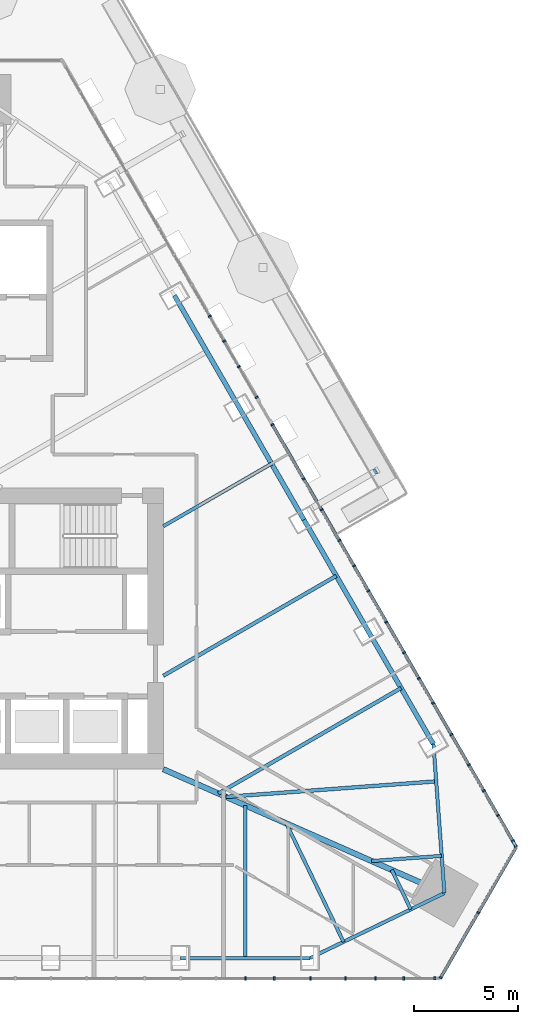
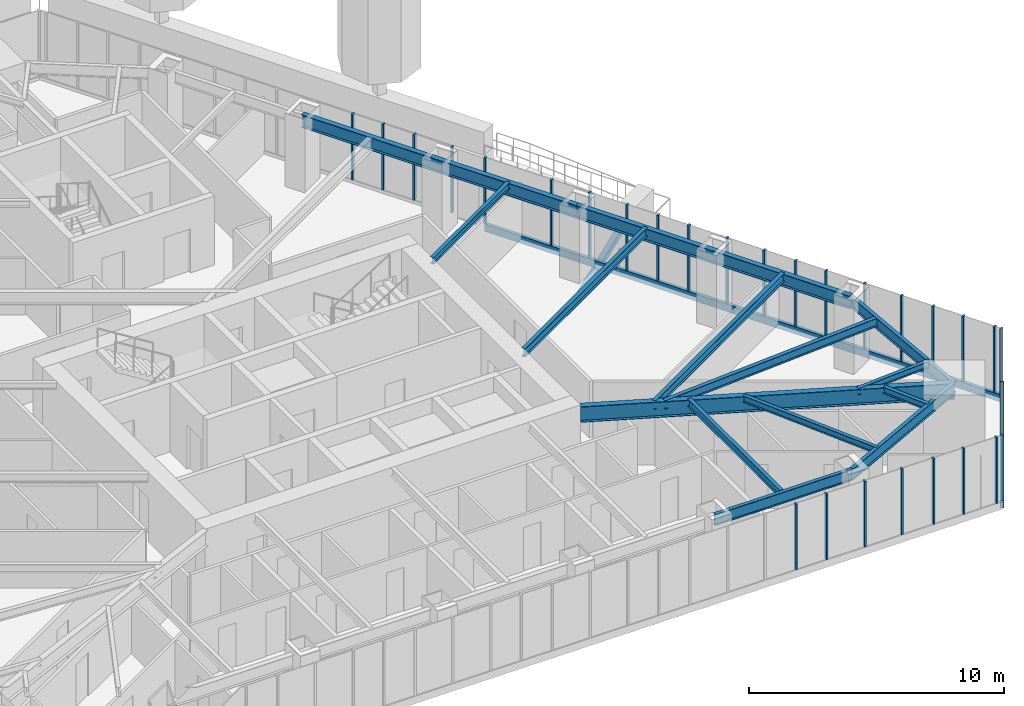
# One storey, part 8 of 22: 32 members, 14 beams, 3 elements without a shape of their own.
"""IFC4 building model written with IfcOpenShell, lengths in metres."""

from ifc_helpers import new_model, si_unit, direction, frame, origin, origin_2d, place, context, subcontext, project, spatial, rectangle, hollow_rectangle, i_section, extrude, material, layer, layer_set, material_profile, profile_set, type_object, element, aggregate, save


model = new_model("IFC4")

# Units and contexts
model_context = context("Model", 3, precision=1e-05, world=origin(), true_north=direction((0.0, 1.0)))
body_context = subcontext(model_context, "Body", "Model", "MODEL_VIEW")
ifc_project = project(units=[si_unit("LENGTHUNIT", "METRE"), si_unit("AREAUNIT", "SQUARE_METRE"), si_unit("VOLUMEUNIT", "CUBIC_METRE"), si_unit("PLANEANGLEUNIT", "RADIAN"), si_unit("MASSUNIT", "GRAM", prefix="KILO")], contexts=[model_context])

# Site, building, storey
site_placement = place(None, origin())
site = spatial("IfcSite", under=ifc_project, at=site_placement, CompositionType="ELEMENT")
building_placement = place(site_placement, origin())
building = spatial("IfcBuilding", under=site, at=building_placement, Name="Firuza Gate Tower and Library", CompositionType="ELEMENT")
storey_placement = place(building_placement, frame((0.0, 0.0, 295.10009765625)))
storey = spatial("IfcBuildingStorey", under=building, at=storey_placement, Name="L71", CompositionType="ELEMENT", Elevation=295.10009765625)

# Curtain wall, members
ifc_material_1 = material(Name="Aluminium 6063-T6", Category="aluminium")
ifc_layer_1 = layer(ifc_material_1, 0.14990234375)
ifc_layer_set_1 = layer_set([ifc_layer_1], Name="Unitised curtain wall, residences")
curtain_wall_type_1 = type_object("IfcCurtainWallType", Name="Unitised curtain wall, residences", PredefinedType="NOTDEFINED", material=ifc_layer_set_1)
placement = place(storey_placement, origin())
curtain_wall_1 = element("IfcCurtainWall", 1, at=placement, inside=storey, type_object=curtain_wall_type_1, Name="CW3 L71 S face", PredefinedType="NOTDEFINED")
ifc_material_2 = material(Name="Aluminium 6063-T6", Category="aluminium")
ifc_material_profile_1 = material_profile(ifc_material_2, rectangle(XDim=0.14990234375, YDim=0.080078125, at=origin_2d()))
ifc_profile_set_1 = profile_set([ifc_material_profile_1], Name="Aluminium 6063-T6")
member_type_1 = type_object("IfcMemberType", Name="Curtain wall mullion 80x150", PredefinedType="MULLION", material=ifc_profile_set_1)
member_1_placement = place(storey_placement, frame((87.451416015625, 58.212646484375, 0.14990234375), z_axis=(0.0, 0.0, 1.0), x_axis=(0.0, 1.0, 0.0)))
member_1 = element("IfcMember", 2, at=member_1_placement, type_object=member_type_1, Name="Mullion", PredefinedType="MULLION", context=body_context, shape_type="SweptSolid", body=[
    extrude(rectangle(XDim=0.14990234375, YDim=0.080078125, at=origin_2d()), origin(), (0.0, 0.0, 1.0), 3.14990234375),
])
member_2_placement = place(storey_placement, frame((90.564208984375, 58.212646484375, 0.14990234375), z_axis=(0.0, 0.0, 1.0), x_axis=(0.0, 1.0, 0.0)))
member_2 = element("IfcMember", 3, at=member_2_placement, type_object=member_type_1, Name="Mullion", PredefinedType="MULLION", context=body_context, shape_type="SweptSolid", body=[
    extrude(rectangle(XDim=0.14990234375, YDim=0.080078125, at=origin_2d()), origin(), (0.0, 0.0, 1.0), 3.14990234375),
])
member_3_placement = place(storey_placement, frame((93.677001953125, 58.212646484375, 0.14990234375), z_axis=(0.0, 0.0, 1.0), x_axis=(0.0, 1.0, 0.0)))
member_3 = element("IfcMember", 4, at=member_3_placement, type_object=member_type_1, Name="Mullion", PredefinedType="MULLION", context=body_context, shape_type="SweptSolid", body=[
    extrude(rectangle(XDim=0.14990234375, YDim=0.080078125, at=origin_2d()), origin(), (0.0, 0.0, 1.0), 3.14990234375),
])
member_4_placement = place(storey_placement, frame((88.8251953125, 58.212646484375, 0.14990234375), z_axis=(0.0, 0.0, 1.0), x_axis=(0.0, 1.0, 0.0)))
member_4 = element("IfcMember", 5, at=member_4_placement, type_object=member_type_1, Name="Mullion", PredefinedType="MULLION", context=body_context, shape_type="SweptSolid", body=[
    extrude(rectangle(XDim=0.14990234375, YDim=0.080078125, at=origin_2d()), origin(), (0.0, 0.0, 1.0), 3.14990234375),
])
member_5_placement = place(storey_placement, frame((92.241455078125, 58.212646484375, 0.14990234375), z_axis=(0.0, 0.0, 1.0), x_axis=(0.0, 1.0, 0.0)))
member_5 = element("IfcMember", 6, at=member_5_placement, type_object=member_type_1, Name="Mullion", PredefinedType="MULLION", context=body_context, shape_type="SweptSolid", body=[
    extrude(rectangle(XDim=0.14990234375, YDim=0.080078125, at=origin_2d()), origin(), (0.0, 0.0, 1.0), 3.14990234375),
])
member_6_placement = place(storey_placement, frame((95.03857421875, 58.212646484375, 0.14990234375), z_axis=(0.0, 0.0, 1.0), x_axis=(0.0, 1.0, 0.0)))
member_6 = element("IfcMember", 7, at=member_6_placement, type_object=member_type_1, Name="Mullion", PredefinedType="MULLION", context=body_context, shape_type="SweptSolid", body=[
    extrude(rectangle(XDim=0.14990234375, YDim=0.080078125, at=origin_2d()), origin(), (0.0, 0.0, 1.0), 3.14990234375),
])
member_7_placement = place(storey_placement, frame((96.52392578125, 58.212646484375, 0.14990234375), z_axis=(0.0, 0.0, 1.0), x_axis=(0.0, 1.0, 0.0)))
member_7 = element("IfcMember", 8, at=member_7_placement, type_object=member_type_1, Name="Mullion", PredefinedType="MULLION", context=body_context, shape_type="SweptSolid", body=[
    extrude(rectangle(XDim=0.14990234375, YDim=0.080078125, at=origin_2d()), origin(), (0.0, 0.0, 1.0), 3.14990234375),
])
aggregate(curtain_wall_1, [member_1, member_2, member_3, member_4, member_5, member_6, member_7])

ifc_material_3 = material(Name="Aluminium 6063-T6", Category="aluminium")
ifc_layer_2 = layer(ifc_material_3, 0.14990234375)
ifc_layer_set_2 = layer_set([ifc_layer_2], Name="Corner curtain wall, chamfers")
curtain_wall_type_2 = type_object("IfcCurtainWallType", Name="Corner curtain wall, chamfers", PredefinedType="NOTDEFINED", material=ifc_layer_set_2)
curtain_wall_2 = element("IfcCurtainWall", 9, at=placement, inside=storey, type_object=curtain_wall_type_2, Name="CW4 L71 SE corner", PredefinedType="NOTDEFINED")
member_8_placement = place(storey_placement, frame((96.81005859375, 58.247314453125, 0.14990234375), z_axis=(0.0, 0.0, 1.0), x_axis=(-0.866025403784, 0.5, 0.0)))
member_8 = element("IfcMember", 10, at=member_8_placement, type_object=member_type_1, Name="Mullion", PredefinedType="MULLION", context=body_context, shape_type="SweptSolid", body=[
    extrude(rectangle(XDim=0.14990234375, YDim=0.080078125, at=origin_2d()), origin(), (0.0, 0.0, 1.0), 3.14990234375),
])
member_9_placement = place(storey_placement, frame((98.611572265625, 61.367919921875, 0.14990234375), z_axis=(0.0, 0.0, 1.0), x_axis=(-0.866025403784, 0.5, 0.0)))
member_9 = element("IfcMember", 11, at=member_9_placement, type_object=member_type_1, Name="Mullion", PredefinedType="MULLION", context=body_context, shape_type="SweptSolid", body=[
    extrude(rectangle(XDim=0.14990234375, YDim=0.080078125, at=origin_2d()), origin(), (0.0, 0.0, 1.0), 3.14990234375),
])

curtain_wall_3 = element("IfcCurtainWall", 12, at=placement, inside=storey, type_object=curtain_wall_type_1, Name="CW3 L71 E face", PredefinedType="NOTDEFINED")
member_10_placement = place(storey_placement, frame((100.413330078125, 64.5576171875, 0.14990234375), z_axis=(0.0, 0.0, 1.0), x_axis=(-0.866025403784, -0.5, 0.0)))
member_10 = element("IfcMember", 13, at=member_10_placement, type_object=member_type_1, Name="Mullion", PredefinedType="MULLION", context=body_context, shape_type="SweptSolid", body=[
    extrude(rectangle(XDim=0.14990234375, YDim=0.080078125, at=origin_2d()), origin(), (0.0, 0.0, 1.0), 3.14990234375),
])
member_11_placement = place(storey_placement, frame((98.876953125, 67.21875, 0.14990234375), z_axis=(0.0, 0.0, 1.0), x_axis=(-0.866025403784, -0.5, 0.0)))
member_11 = element("IfcMember", 14, at=member_11_placement, type_object=member_type_1, Name="Mullion", PredefinedType="MULLION", context=body_context, shape_type="SweptSolid", body=[
    extrude(rectangle(XDim=0.14990234375, YDim=0.080078125, at=origin_2d()), origin(), (0.0, 0.0, 1.0), 3.14990234375),
])
member_12_placement = place(storey_placement, frame((97.3203125, 69.91455078125, 0.14990234375), z_axis=(0.0, 0.0, 1.0), x_axis=(-0.866025403784, -0.5, 0.0)))
member_12 = element("IfcMember", 15, at=member_12_placement, type_object=member_type_1, Name="Mullion", PredefinedType="MULLION", context=body_context, shape_type="SweptSolid", body=[
    extrude(rectangle(XDim=0.14990234375, YDim=0.080078125, at=origin_2d()), origin(), (0.0, 0.0, 1.0), 3.14990234375),
])
member_13_placement = place(storey_placement, frame((95.763916015625, 72.6103515625, 0.14990234375), z_axis=(0.0, 0.0, 1.0), x_axis=(-0.866025403784, -0.5, 0.0)))
member_13 = element("IfcMember", 16, at=member_13_placement, type_object=member_type_1, Name="Mullion", PredefinedType="MULLION", context=body_context, shape_type="SweptSolid", body=[
    extrude(rectangle(XDim=0.14990234375, YDim=0.080078125, at=origin_2d()), origin(), (0.0, 0.0, 1.0), 3.14990234375),
])
member_14_placement = place(storey_placement, frame((94.20751953125, 75.30615234375, 0.14990234375), z_axis=(0.0, 0.0, 1.0), x_axis=(-0.866025403784, -0.5, 0.0)))
member_14 = element("IfcMember", 17, at=member_14_placement, type_object=member_type_1, Name="Mullion", PredefinedType="MULLION", context=body_context, shape_type="SweptSolid", body=[
    extrude(rectangle(XDim=0.14990234375, YDim=0.080078125, at=origin_2d()), origin(), (0.0, 0.0, 1.0), 3.14990234375),
])
member_15_placement = place(storey_placement, frame((92.651123046875, 78.001953125, 0.14990234375), z_axis=(0.0, 0.0, 1.0), x_axis=(-0.866025403784, -0.5, 0.0)))
member_15 = element("IfcMember", 18, at=member_15_placement, type_object=member_type_1, Name="Mullion", PredefinedType="MULLION", context=body_context, shape_type="SweptSolid", body=[
    extrude(rectangle(XDim=0.14990234375, YDim=0.080078125, at=origin_2d()), origin(), (0.0, 0.0, 1.0), 3.14990234375),
])
member_16_placement = place(storey_placement, frame((91.0947265625, 80.69775390625, 0.14990234375), z_axis=(0.0, 0.0, 1.0), x_axis=(-0.866025403784, -0.5, 0.0)))
member_16 = element("IfcMember", 19, at=member_16_placement, type_object=member_type_1, Name="Mullion", PredefinedType="MULLION", context=body_context, shape_type="SweptSolid", body=[
    extrude(rectangle(XDim=0.14990234375, YDim=0.080078125, at=origin_2d()), origin(), (0.0, 0.0, 1.0), 3.14990234375),
])
member_17_placement = place(storey_placement, frame((88.734619140625, 84.785400390625, 0.14990234375), z_axis=(0.0, 0.0, 1.0), x_axis=(-0.866025403784, -0.5, 0.0)))
member_17 = element("IfcMember", 20, at=member_17_placement, type_object=member_type_1, Name="Mullion", PredefinedType="MULLION", context=body_context, shape_type="SweptSolid", body=[
    extrude(rectangle(XDim=0.14990234375, YDim=0.080078125, at=origin_2d()), origin(), (0.0, 0.0, 1.0), 3.14990234375),
])
member_18_placement = place(storey_placement, frame((87.98193359375, 86.089599609375, 0.14990234375), z_axis=(0.0, 0.0, 1.0), x_axis=(-0.866025403784, -0.5, 0.0)))
member_18 = element("IfcMember", 21, at=member_18_placement, type_object=member_type_1, Name="Mullion", PredefinedType="MULLION", context=body_context, shape_type="SweptSolid", body=[
    extrude(rectangle(XDim=0.14990234375, YDim=0.080078125, at=origin_2d()), origin(), (0.0, 0.0, 1.0), 3.14990234375),
])
member_19_placement = place(storey_placement, frame((86.425537109375, 88.785400390625, 0.14990234375), z_axis=(0.0, 0.0, 1.0), x_axis=(-0.866025403784, -0.5, 0.0)))
member_19 = element("IfcMember", 22, at=member_19_placement, type_object=member_type_1, Name="Mullion", PredefinedType="MULLION", context=body_context, shape_type="SweptSolid", body=[
    extrude(rectangle(XDim=0.14990234375, YDim=0.080078125, at=origin_2d()), origin(), (0.0, 0.0, 1.0), 3.14990234375),
])
member_20_placement = place(storey_placement, frame((100.267578125, 64.809814453125, 0.14990234375), z_axis=(0.0, 0.0, 1.0), x_axis=(-0.866025403784, -0.5, 0.0)))
member_20 = element("IfcMember", 23, at=member_20_placement, type_object=member_type_1, Name="Mullion", PredefinedType="MULLION", context=body_context, shape_type="SweptSolid", body=[
    extrude(rectangle(XDim=0.14990234375, YDim=0.080078125, at=origin_2d()), origin(), (0.0, 0.0, 1.0), 3.14990234375),
])
member_21_placement = place(storey_placement, frame((99.5576171875, 66.039794921875, 0.14990234375), z_axis=(0.0, 0.0, 1.0), x_axis=(-0.866025403784, -0.5, 0.0)))
member_21 = element("IfcMember", 24, at=member_21_placement, type_object=member_type_1, Name="Mullion", PredefinedType="MULLION", context=body_context, shape_type="SweptSolid", body=[
    extrude(rectangle(XDim=0.14990234375, YDim=0.080078125, at=origin_2d()), origin(), (0.0, 0.0, 1.0), 3.14990234375),
])
member_22_placement = place(storey_placement, frame((98.158935546875, 68.462158203125, 0.14990234375), z_axis=(0.0, 0.0, 1.0), x_axis=(-0.866025403784, -0.5, 0.0)))
member_22 = element("IfcMember", 25, at=member_22_placement, type_object=member_type_1, Name="Mullion", PredefinedType="MULLION", context=body_context, shape_type="SweptSolid", body=[
    extrude(rectangle(XDim=0.14990234375, YDim=0.080078125, at=origin_2d()), origin(), (0.0, 0.0, 1.0), 3.14990234375),
])
member_23_placement = place(storey_placement, frame((96.450927734375, 71.420654296875, 0.14990234375), z_axis=(0.0, 0.0, 1.0), x_axis=(-0.866025403784, -0.5, 0.0)))
member_23 = element("IfcMember", 26, at=member_23_placement, type_object=member_type_1, Name="Mullion", PredefinedType="MULLION", context=body_context, shape_type="SweptSolid", body=[
    extrude(rectangle(XDim=0.14990234375, YDim=0.080078125, at=origin_2d()), origin(), (0.0, 0.0, 1.0), 3.14990234375),
])
member_24_placement = place(storey_placement, frame((95.052490234375, 73.843017578125, 0.14990234375), z_axis=(0.0, 0.0, 1.0), x_axis=(-0.866025403784, -0.5, 0.0)))
member_24 = element("IfcMember", 27, at=member_24_placement, type_object=member_type_1, Name="Mullion", PredefinedType="MULLION", context=body_context, shape_type="SweptSolid", body=[
    extrude(rectangle(XDim=0.14990234375, YDim=0.080078125, at=origin_2d()), origin(), (0.0, 0.0, 1.0), 3.14990234375),
])
member_25_placement = place(storey_placement, frame((93.34423828125, 76.8017578125, 0.14990234375), z_axis=(0.0, 0.0, 1.0), x_axis=(-0.866025403784, -0.5, 0.0)))
member_25 = element("IfcMember", 28, at=member_25_placement, type_object=member_type_1, Name="Mullion", PredefinedType="MULLION", context=body_context, shape_type="SweptSolid", body=[
    extrude(rectangle(XDim=0.14990234375, YDim=0.080078125, at=origin_2d()), origin(), (0.0, 0.0, 1.0), 3.14990234375),
])
member_26_placement = place(storey_placement, frame((91.94580078125, 79.223876953125, 0.14990234375), z_axis=(0.0, 0.0, 1.0), x_axis=(-0.866025403784, -0.5, 0.0)))
member_26 = element("IfcMember", 29, at=member_26_placement, type_object=member_type_1, Name="Mullion", PredefinedType="MULLION", context=body_context, shape_type="SweptSolid", body=[
    extrude(rectangle(XDim=0.14990234375, YDim=0.080078125, at=origin_2d()), origin(), (0.0, 0.0, 1.0), 3.14990234375),
])
member_27_placement = place(storey_placement, frame((90.237548828125, 82.1826171875, 0.14990234375), z_axis=(0.0, 0.0, 1.0), x_axis=(-0.866025403784, -0.5, 0.0)))
member_27 = element("IfcMember", 30, at=member_27_placement, type_object=member_type_1, Name="Mullion", PredefinedType="MULLION", context=body_context, shape_type="SweptSolid", body=[
    extrude(rectangle(XDim=0.14990234375, YDim=0.080078125, at=origin_2d()), origin(), (0.0, 0.0, 1.0), 3.14990234375),
])
member_28_placement = place(storey_placement, frame((87.130859375, 87.5634765625, 0.14990234375), z_axis=(0.0, 0.0, 1.0), x_axis=(-0.866025403784, -0.5, 0.0)))
member_28 = element("IfcMember", 31, at=member_28_placement, type_object=member_type_1, Name="Mullion", PredefinedType="MULLION", context=body_context, shape_type="SweptSolid", body=[
    extrude(rectangle(XDim=0.14990234375, YDim=0.080078125, at=origin_2d()), origin(), (0.0, 0.0, 1.0), 3.14990234375),
])
member_29_placement = place(storey_placement, frame((85.732421875, 89.985595703125, 0.14990234375), z_axis=(0.0, 0.0, 1.0), x_axis=(-0.866025403784, -0.5, 0.0)))
member_29 = element("IfcMember", 32, at=member_29_placement, type_object=member_type_1, Name="Mullion", PredefinedType="MULLION", context=body_context, shape_type="SweptSolid", body=[
    extrude(rectangle(XDim=0.14990234375, YDim=0.080078125, at=origin_2d()), origin(), (0.0, 0.0, 1.0), 3.14990234375),
])

# Member
ifc_material_4 = material(Name="Aluminium 6063-T6", Category="aluminium")
ifc_material_profile_2 = material_profile(ifc_material_4, rectangle(XDim=0.14990234375, YDim=0.35009765625, at=origin_2d()))
ifc_profile_set_2 = profile_set([ifc_material_profile_2], Name="Aluminium 6063-T6")
member_type_2 = type_object("IfcMemberType", Name="Curtain wall transom 350x150", PredefinedType="USERDEFINED", material=ifc_profile_set_2)
member_30_placement = place(storey_placement, frame((96.7900390625, 58.212646484375, -0.025146484375), z_axis=(0.500005719219, 0.866022101766, 0.0), x_axis=(-0.866022101766, 0.500005719219, 0.0)))
member_30 = element("IfcMember", 33, at=member_30_placement, type_object=member_type_2, Name="Transom", ObjectType="TRANSOM", PredefinedType="USERDEFINED", context=body_context, shape_type="SweptSolid", body=[
    extrude(rectangle(XDim=0.14990234375, YDim=0.35009765625, at=origin_2d()), origin(), (0.0, 0.0, 1.0), 7.28662109375),
])

aggregate(curtain_wall_2, [member_8, member_9, member_30])

member_31_placement = place(storey_placement, frame((100.433349609375, 64.52294921875, -0.025146484375), z_axis=(-0.500006373523, 0.866021723998, 0.0), x_axis=(-0.866021723998, -0.500006373523, 0.0)))
member_31 = element("IfcMember", 34, at=member_31_placement, type_object=member_type_2, Name="Transom", ObjectType="TRANSOM", PredefinedType="USERDEFINED", context=body_context, shape_type="SweptSolid", body=[
    extrude(rectangle(XDim=0.14990234375, YDim=0.35009765625, at=origin_2d()), origin(), (0.0, 0.0, 1.0), 23.397216796875),
])

aggregate(curtain_wall_3, [member_10, member_11, member_12, member_13, member_14, member_15, member_16, member_17, member_18, member_19, member_31, member_20, member_21, member_22, member_23, member_24, member_25, member_26, member_27, member_28, member_29])

ifc_material_5 = material(Name="Steel S355", Category="steel")
ifc_material_profile_3 = material_profile(ifc_material_5, hollow_rectangle(XDim=0.25390625, YDim=0.25390625, WallThickness=0.01171875, at=origin_2d()))
ifc_profile_set_3 = profile_set([ifc_material_profile_3], Name="Steel S355")
member_type_3 = type_object("IfcMemberType", Name="HSS254x254x13 Tray strut", PredefinedType="BRACE", material=ifc_profile_set_3)
member_32_placement = place(storey_placement, frame((90.647216796875, 80.79296875, -1.670166015625), z_axis=(0.807122458648, 0.466007352202, 0.362478253747), x_axis=(-0.500012057535, 0.866018442252, 0.0)))
element("IfcMember", 35, at=member_32_placement, inside=storey, type_object=member_type_3, Name="Tray strut L71 col:L70:E3", PredefinedType="BRACE", context=body_context, shape_type="SweptSolid", body=[
    extrude(hollow_rectangle(XDim=0.25390625, YDim=0.25390625, WallThickness=0.01171875, at=origin_2d()), origin(), (0.0, 0.0, 1.0), 3.86279296875),
])

# Beams
ifc_material_6 = material(Name="Steel S355", Category="steel")
ifc_material_profile_4 = material_profile(ifc_material_6, i_section(OverallWidth=0.1650390625, OverallDepth=0.31005859375, WebThickness=0.005859375, FlangeThickness=0.009765625, at=origin_2d()))
ifc_profile_set_4 = profile_set([ifc_material_profile_4], Name="Steel S355")
beam_type_1 = type_object("IfcBeamType", Name="W310x39 Floor beam", PredefinedType="JOIST", material=ifc_profile_set_4)
beam_1_placement = place(storey_placement, frame((92.14697265625, 59.967041015625, 3.14501953125), z_axis=(-0.434960061589, 0.900449745862, 0.0), x_axis=(-0.900449745862, -0.434960061589, 0.0)))
element("IfcBeam", 36, at=beam_1_placement, inside=storey, type_object=beam_type_1, Name="Floor beam L71 s30", PredefinedType="JOIST", context=body_context, shape_type="SweptSolid", body=[
    extrude(i_section(OverallWidth=0.1650390625, OverallDepth=0.31005859375, WebThickness=0.005859375, FlangeThickness=0.009765625, at=origin_2d()), origin(), (0.0, 0.0, 1.0), 6.3095703125),
])
beam_2_placement = place(storey_placement, frame((95.374267578125, 61.52587890625, 3.14501953125), z_axis=(-0.434960061589, 0.900449745862, 0.0), x_axis=(-0.900449745862, -0.434960061589, 0.0)))
element("IfcBeam", 37, at=beam_2_placement, inside=storey, type_object=beam_type_1, Name="Floor beam L71 s31", PredefinedType="JOIST", context=body_context, shape_type="SweptSolid", body=[
    extrude(i_section(OverallWidth=0.1650390625, OverallDepth=0.31005859375, WebThickness=0.005859375, FlangeThickness=0.009765625, at=origin_2d()), origin(), (0.0, 0.0, 1.0), 2.103271484375),
])
beam_3_placement = place(storey_placement, frame((96.85595703125, 64.092529296875, 3.14501953125), z_axis=(-0.997292409208, -0.073538089019, 0.0), x_axis=(0.073538089019, -0.997292409208, 0.0)))
element("IfcBeam", 38, at=beam_3_placement, inside=storey, type_object=beam_type_1, Name="Floor beam L71 s40", PredefinedType="JOIST", context=body_context, shape_type="SweptSolid", body=[
    extrude(i_section(OverallWidth=0.1650390625, OverallDepth=0.31005859375, WebThickness=0.005859375, FlangeThickness=0.009765625, at=origin_2d()), origin(), (0.0, 0.0, 1.0), 3.36962890625),
])
beam_4_placement = place(storey_placement, frame((88.69384765625, 82.90625, 3.14501953125), z_axis=(-0.866017464951, -0.500013750211, 0.0), x_axis=(0.500013750211, -0.866017464951, 0.0)))
element("IfcBeam", 39, at=beam_4_placement, inside=storey, type_object=beam_type_1, Name="Floor beam L71 s52", PredefinedType="JOIST", context=body_context, shape_type="SweptSolid", body=[
    extrude(i_section(OverallWidth=0.1650390625, OverallDepth=0.31005859375, WebThickness=0.005859375, FlangeThickness=0.009765625, at=origin_2d()), origin(), (0.0, 0.0, 1.0), 5.997314453125),
])
ifc_material_7 = material(Name="Steel S355", Category="steel")
ifc_material_profile_5 = material_profile(ifc_material_7, i_section(OverallWidth=0.1708984375, OverallDepth=0.35498046875, WebThickness=0.007080078125, FlangeThickness=0.01171875, at=origin_2d()))
ifc_profile_set_5 = profile_set([ifc_material_profile_5], Name="Steel S355")
beam_type_2 = type_object("IfcBeamType", Name="W360x51 Floor beam", PredefinedType="JOIST", material=ifc_profile_set_5)
beam_5_placement = place(storey_placement, frame((87.4267578125, 59.187744140625, 3.122314453125), z_axis=(0.0, 1.0, 0.0), x_axis=(-1.0, 0.0, 0.0)))
element("IfcBeam", 40, at=beam_5_placement, inside=storey, type_object=beam_type_2, Name="Floor beam L71 s24", PredefinedType="JOIST", context=body_context, shape_type="SweptSolid", body=[
    extrude(i_section(OverallWidth=0.1708984375, OverallDepth=0.35498046875, WebThickness=0.007080078125, FlangeThickness=0.01171875, at=origin_2d()), origin(), (0.0, 0.0, 1.0), 7.33154296875),
])
ifc_material_8 = material(Name="Steel S355", Category="steel")
ifc_material_profile_6 = material_profile(ifc_material_8, i_section(OverallWidth=0.177978515625, OverallDepth=0.406982421875, WebThickness=0.0078125, FlangeThickness=0.0126953125, at=origin_2d()))
ifc_profile_set_6 = profile_set([ifc_material_profile_6], Name="Steel S355")
beam_type_3 = type_object("IfcBeamType", Name="W410x60 Floor beam", PredefinedType="JOIST", material=ifc_profile_set_6)
beam_6_placement = place(storey_placement, frame((96.59228515625, 67.666748046875, 3.096435546875), z_axis=(-0.997290637753, -0.073562108793, 0.0), x_axis=(0.073562108793, -0.997290637753, 0.0)))
element("IfcBeam", 41, at=beam_6_placement, inside=storey, type_object=beam_type_3, Name="Floor beam L71 s41", PredefinedType="JOIST", context=body_context, shape_type="SweptSolid", body=[
    extrude(i_section(OverallWidth=0.177978515625, OverallDepth=0.406982421875, WebThickness=0.0078125, FlangeThickness=0.0126953125, at=origin_2d()), origin(), (0.0, 0.0, 1.0), 10.109130859375),
])
beam_7_placement = place(storey_placement, frame((94.9072265625, 72.144287109375, 3.096435546875), z_axis=(-0.866025277505, -0.500000218722, 0.0), x_axis=(0.500000218722, -0.866025277505, 0.0)))
element("IfcBeam", 42, at=beam_7_placement, inside=storey, type_object=beam_type_3, Name="Floor beam L71 s50", PredefinedType="JOIST", context=body_context, shape_type="SweptSolid", body=[
    extrude(i_section(OverallWidth=0.177978515625, OverallDepth=0.406982421875, WebThickness=0.0078125, FlangeThickness=0.0126953125, at=origin_2d()), origin(), (0.0, 0.0, 1.0), 10.119140625),
])
beam_8_placement = place(storey_placement, frame((91.800537109375, 77.525390625, 3.096435546875), z_axis=(-0.866018033707, -0.500012765131, 0.0), x_axis=(0.500012765131, -0.866018033707, 0.0)))
element("IfcBeam", 43, at=beam_8_placement, inside=storey, type_object=beam_type_3, Name="Floor beam L71 s51", PredefinedType="JOIST", context=body_context, shape_type="SweptSolid", body=[
    extrude(i_section(OverallWidth=0.177978515625, OverallDepth=0.406982421875, WebThickness=0.0078125, FlangeThickness=0.0126953125, at=origin_2d()), origin(), (0.0, 0.0, 1.0), 9.584716796875),
])
ifc_material_9 = material(Name="Steel S355", Category="steel")
ifc_material_profile_7 = material_profile(ifc_material_9, i_section(OverallWidth=0.166015625, OverallDepth=0.534912109375, WebThickness=0.01025390625, FlangeThickness=0.0166015625, at=origin_2d()))
ifc_profile_set_7 = profile_set([ifc_material_profile_7], Name="Steel S355")
beam_type_4 = type_object("IfcBeamType", Name="W530x85 Edge beam", PredefinedType="SPANDREL", material=ifc_profile_set_7)
beam_9_placement = place(storey_placement, frame((84.320068359375, 59.187744140625, 3.032470703125), z_axis=(1.0, 0.0, 0.0), x_axis=(0.0, 1.0, 0.0)))
element("IfcBeam", 44, at=beam_9_placement, inside=storey, type_object=beam_type_4, Name="Edge beam L71 e24", PredefinedType="SPANDREL", context=body_context, shape_type="SweptSolid", body=[
    extrude(i_section(OverallWidth=0.166015625, OverallDepth=0.534912109375, WebThickness=0.01025390625, FlangeThickness=0.0166015625, at=origin_2d()), origin(), (0.0, 0.0, 1.0), 6.21337890625),
])
beam_10_placement = place(storey_placement, frame((90.533447265625, 59.187744140625, 3.032470703125), z_axis=(0.900454129451, 0.434950986613, 0.0), x_axis=(-0.434950986613, 0.900454129451, 0.0)))
element("IfcBeam", 45, at=beam_10_placement, inside=storey, type_object=beam_type_4, Name="Edge beam L71 e30", PredefinedType="SPANDREL", context=body_context, shape_type="SweptSolid", body=[
    extrude(i_section(OverallWidth=0.166015625, OverallDepth=0.534912109375, WebThickness=0.01025390625, FlangeThickness=0.0166015625, at=origin_2d()), origin(), (0.0, 0.0, 1.0), 7.16796875),
])
beam_11_placement = place(storey_placement, frame((96.98779296875, 62.305419921875, 3.032470703125), z_axis=(-0.073536698526, 0.997292511739, 0.0), x_axis=(-0.997292511739, -0.073536698526, 0.0)))
element("IfcBeam", 46, at=beam_11_placement, inside=storey, type_object=beam_type_4, Name="Edge beam L71 e40", PredefinedType="SPANDREL", context=body_context, shape_type="SweptSolid", body=[
    extrude(i_section(OverallWidth=0.166015625, OverallDepth=0.534912109375, WebThickness=0.01025390625, FlangeThickness=0.0166015625, at=origin_2d()), origin(), (0.0, 0.0, 1.0), 7.167724609375),
])
ifc_material_10 = material(Name="Steel S355", Category="steel")
ifc_material_profile_8 = material_profile(ifc_material_10, i_section(OverallWidth=0.22900390625, OverallDepth=0.612060546875, WebThickness=0.011962890625, FlangeThickness=0.01953125, at=origin_2d()))
ifc_profile_set_8 = profile_set([ifc_material_profile_8], Name="Steel S355")
beam_type_5 = type_object("IfcBeamType", Name="W610x125 Edge beam", PredefinedType="SPANDREL", material=ifc_profile_set_8)
beam_12_placement = place(storey_placement, frame((96.460693359375, 69.453857421875, 2.993896484375), z_axis=(-0.499997388771, 0.866026911373, 0.0), x_axis=(-0.866026911373, -0.499997388771, 0.0)))
element("IfcBeam", 47, at=beam_12_placement, inside=storey, type_object=beam_type_5, Name="Edge beam L71 e50", PredefinedType="SPANDREL", context=body_context, shape_type="SweptSolid", body=[
    extrude(i_section(OverallWidth=0.22900390625, OverallDepth=0.612060546875, WebThickness=0.011962890625, FlangeThickness=0.01953125, at=origin_2d()), origin(), (0.0, 0.0, 1.0), 12.4267578125),
])
beam_13_placement = place(storey_placement, frame((90.247314453125, 80.2158203125, 2.993896484375), z_axis=(-0.500005895944, 0.866021999733, 0.0), x_axis=(-0.866021999733, -0.500005895944, 0.0)))
element("IfcBeam", 48, at=beam_13_placement, inside=storey, type_object=beam_type_5, Name="Edge beam L71 e52", PredefinedType="SPANDREL", context=body_context, shape_type="SweptSolid", body=[
    extrude(i_section(OverallWidth=0.22900390625, OverallDepth=0.612060546875, WebThickness=0.011962890625, FlangeThickness=0.01953125, at=origin_2d()), origin(), (0.0, 0.0, 1.0), 12.426513671875),
])
ifc_material_11 = material(Name="Steel S355", Category="steel")
ifc_material_profile_9 = material_profile(ifc_material_11, i_section(OverallWidth=0.264892578125, OverallDepth=0.7529296875, WebThickness=0.01318359375, FlangeThickness=0.01708984375, at=origin_2d()))
ifc_profile_set_9 = profile_set([ifc_material_profile_9], Name="Steel S355")
beam_type_6 = type_object("IfcBeamType", Name="W760x147 Girder", PredefinedType="BEAM", material=ifc_profile_set_9)
beam_14_placement = place(storey_placement, frame((96.98779296875, 62.305419921875, 2.92333984375), z_axis=(-0.915065983609, 0.403304160209, 0.0), x_axis=(-0.403304160209, -0.915065983609, 0.0)))
element("IfcBeam", 49, at=beam_14_placement, inside=storey, type_object=beam_type_6, Name="Girder L71 gSE", PredefinedType="BEAM", context=body_context, shape_type="SweptSolid", body=[
    extrude(i_section(OverallWidth=0.264892578125, OverallDepth=0.7529296875, WebThickness=0.01318359375, FlangeThickness=0.01708984375, at=origin_2d()), origin(), (0.0, 0.0, 1.0), 14.73974609375),
])

save(model, "model.ifc")
